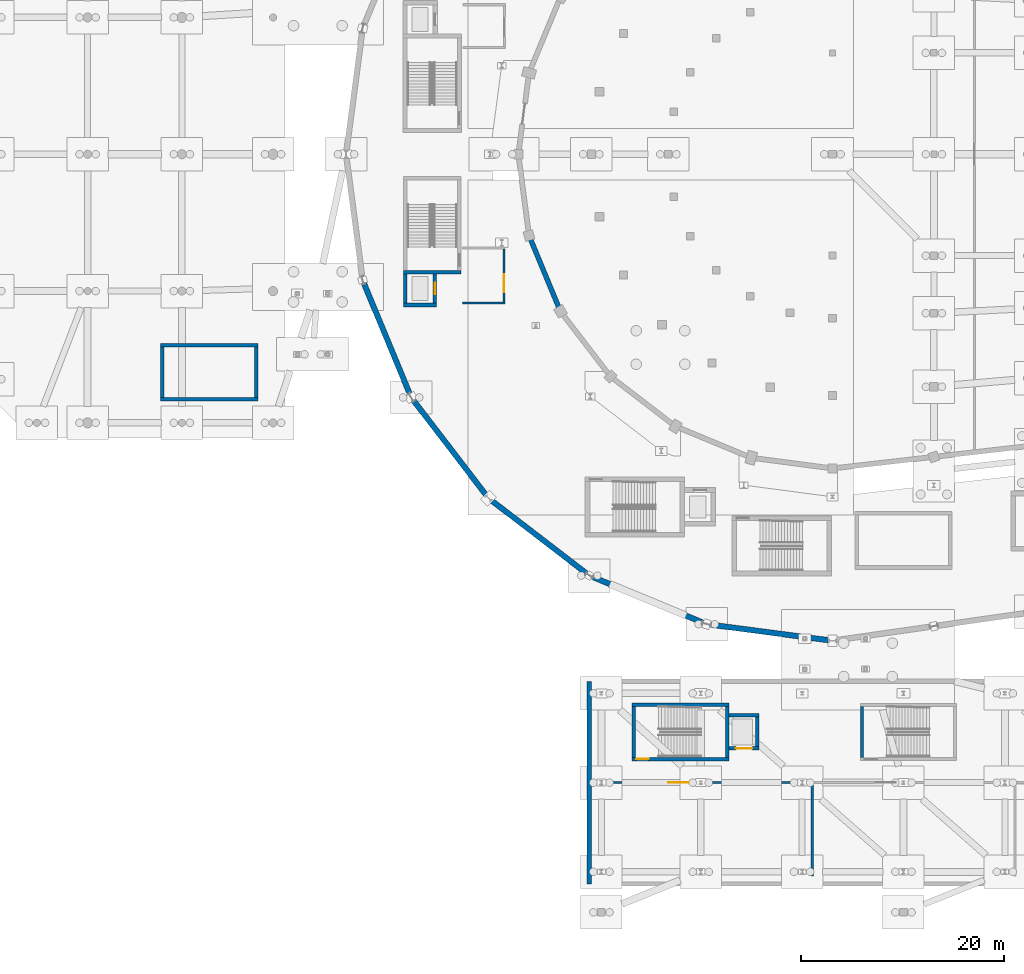
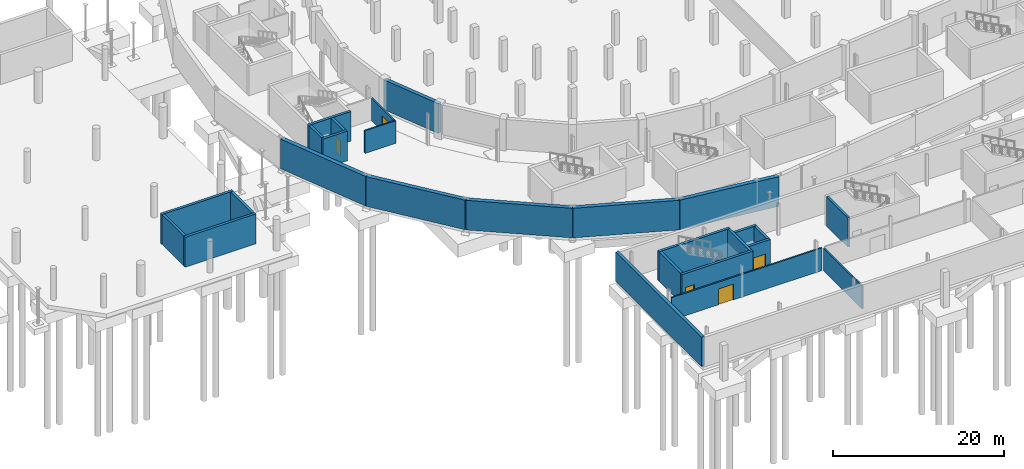
# One storey, part 42 of 55: 27 walls, 5 doors, 5 openings.
"""IFC4 building model written with IfcOpenShell, lengths in metres."""

from ifc_helpers import new_model, si_unit, direction, frame, frame_2d, origin, place, context, subcontext, project, spatial, rectangle, extrude, material, layer, layer_set, type_object, element, fill, save


model = new_model("IFC4")

# Units and contexts
model_context = context("Model", 3, precision=1e-05, world=origin(), true_north=direction((0.0, 1.0)))
body_context = subcontext(model_context, "Body", "Model", "MODEL_VIEW")
ifc_project = project(units=[si_unit("LENGTHUNIT", "METRE"), si_unit("AREAUNIT", "SQUARE_METRE"), si_unit("VOLUMEUNIT", "CUBIC_METRE"), si_unit("PLANEANGLEUNIT", "RADIAN"), si_unit("MASSUNIT", "GRAM", prefix="KILO")], contexts=[model_context])

# Site, building, storey
site_placement = place(None, origin())
site = spatial("IfcSite", under=ifc_project, at=site_placement, CompositionType="ELEMENT")
building_placement = place(site_placement, origin())
building = spatial("IfcBuilding", under=site, at=building_placement, Name="Sohan Crest Arena", CompositionType="ELEMENT")
storey_placement = place(building_placement, frame((0.0, 0.0, -4.5)))
storey = spatial("IfcBuildingStorey", under=building, at=storey_placement, Name="B1", CompositionType="ELEMENT", Elevation=-4.5)

# Wall
ifc_material_1 = material(Name="Fire-rated masonry blockwork compartment wall", Category="masonry")
ifc_layer_1 = layer(ifc_material_1, 0.199951171875, Name="Fire-rated masonry blockwork compartment wall")
ifc_layer_set_1 = layer_set([ifc_layer_1], Name="Fire-rated masonry blockwork compartment wall")
wall_type_1 = type_object("IfcWallType", Name="WAL-FW01", PredefinedType="PARTITIONING", material=ifc_layer_set_1)
wall_1_placement = place(storey_placement, frame((61.489990234375, 63.300048828125, 0.0), z_axis=(0.0, 0.0, 1.0), x_axis=(1.0, 0.0, 0.0)))
element("IfcWall", 1, at=wall_1_placement, inside=storey, type_object=wall_type_1, Name="Interior partition wall PW-0008", PredefinedType="PARTITIONING", context=body_context, shape_type="SweptSolid", body=[
    extrude(rectangle(XDim=4.179931640625, YDim=0.199951171875, at=frame_2d((2.08984375, 0.0))), origin(), (0.0, 0.0, 1.0), 3.219970703125),
])

# Wall, opening, door
wall_2_placement = place(storey_placement, frame((65.570068359375, 63.419921875, 0.0), z_axis=(0.0, 0.0, 1.0), x_axis=(0.0, 1.0, 0.0)))
wall_2 = element("IfcWall", 2, at=wall_2_placement, inside=storey, type_object=wall_type_1, Name="Interior partition wall PW-0010", PredefinedType="PARTITIONING", context=body_context, shape_type="SweptSolid", body=[
    extrude(rectangle(XDim=5.2099609375, YDim=0.199951171875, at=frame_2d((2.60498046875, 0.0))), origin(), (0.0, 0.0, 1.0), 3.219970703125),
])
opening_1_placement = place(wall_2_placement, frame((0.949951171875, 0.0, 0.0)))
opening_1 = element("IfcOpeningElement", 3, at=opening_1_placement, cuts=wall_2, Name="Opening FFL-0003", PredefinedType="OPENING", context=body_context, shape_type="SweptSolid", body=[
    extrude(rectangle(XDim=1.800048828125, YDim=2.199951171875, at=frame_2d((0.89990234375, 1.10009765625))), frame((0.0, 0.10986328125, 0.0), z_axis=(0.0, -1.0, 0.0), x_axis=(1.0, 0.0, 0.0)), (0.0, 0.0, 1.0), 0.219970703125),
])
ifc_material_2 = material(Name="Fire-rated timber-faced lobby double door", Category="wood")
door_type_1 = type_object("IfcDoorType", Name="DR-FD03", OperationType="DOUBLE_DOOR_SINGLE_SWING", PredefinedType="DOOR", material=ifc_material_2)
door_1_placement = place(opening_1_placement, origin())
door_1 = element("IfcDoor", 4, at=door_1_placement, inside=storey, type_object=door_type_1, Name="Firefighting lift lobby door FL01 FFL-0003", OperationType="DOUBLE_DOOR_SINGLE_SWING", OverallHeight=2.199951171875, OverallWidth=1.800048828125, PredefinedType="DOOR", context=body_context, shape_type="SweptSolid", body=[
    extrude(rectangle(XDim=1.800048828125, YDim=2.199951171875, at=frame_2d((0.89990234375, 1.10009765625))), frame((0.0, 0.02490234375, 0.0), z_axis=(0.0, -1.0, 0.0), x_axis=(1.0, 0.0, 0.0)), (0.0, 0.0, 1.0), 0.050048828125),
])
fill(opening_1, door_1)

# Wall
wall_3_placement = place(storey_placement, frame((96.0, 6.800048828125, 0.0), z_axis=(0.0, 0.0, 1.0), x_axis=(0.0, 1.0, 0.0)))
element("IfcWall", 5, at=wall_3_placement, inside=storey, type_object=wall_type_1, Name="Interior partition wall PW-0831", PredefinedType="PARTITIONING", context=body_context, shape_type="SweptSolid", body=[
    extrude(rectangle(XDim=9.0, YDim=0.199951171875, at=frame_2d((4.5, 0.0))), origin(), (0.0, 0.0, 1.0), 3.219970703125),
])

# Wall, opening, door
wall_4_placement = place(storey_placement, frame((75.5, 16.0, 0.0), z_axis=(0.0, 0.0, 1.0), x_axis=(1.0, 0.0, 0.0)))
wall_4 = element("IfcWall", 6, at=wall_4_placement, inside=storey, type_object=wall_type_1, Name="Interior partition wall PW-0832", PredefinedType="PARTITIONING", context=body_context, shape_type="SweptSolid", body=[
    extrude(rectangle(XDim=20.300048828125, YDim=0.199951171875, at=frame_2d((10.14990234375, 0.0))), origin(), (0.0, 0.0, 1.0), 3.219970703125),
])
opening_2_placement = place(wall_4_placement, frame((6.30810546875, 0.0, 0.0)))
opening_2 = element("IfcOpeningElement", 7, at=opening_2_placement, cuts=wall_4, Name="Opening B1D-0225", PredefinedType="OPENING", context=body_context, shape_type="SweptSolid", body=[
    extrude(rectangle(XDim=2.0, YDim=2.25, at=frame_2d((1.0, 1.125))), frame((0.0, 0.10986328125, 0.0), z_axis=(0.0, -1.0, 0.0), x_axis=(1.0, 0.0, 0.0)), (0.0, 0.0, 1.0), 0.219970703125),
])
ifc_material_3 = material(Name="Fire-rated steel concourse compartment door", Category="steel")
door_type_2 = type_object("IfcDoorType", Name="DR-FD02", OperationType="DOUBLE_DOOR_SINGLE_SWING", PredefinedType="DOOR", material=ifc_material_3)
door_2_placement = place(opening_2_placement, origin())
door_2 = element("IfcDoor", 8, at=door_2_placement, inside=storey, type_object=door_type_2, Name="Chiller plant door B1D-0225", OperationType="DOUBLE_DOOR_SINGLE_SWING", OverallHeight=2.25, OverallWidth=2.0, PredefinedType="DOOR", context=body_context, shape_type="SweptSolid", body=[
    extrude(rectangle(XDim=2.0, YDim=2.25, at=frame_2d((1.0, 1.125))), frame((0.0, 0.02490234375, 0.0), z_axis=(0.0, -1.0, 0.0), x_axis=(1.0, 0.0, 0.0)), (0.0, 0.0, 1.0), 0.050048828125),
])
fill(opening_2, door_2)

# Walls
ifc_material_4 = material(Name="Concrete C40/50", Category="concrete")
ifc_layer_2 = layer(ifc_material_4, 0.419921875, Name="Concrete C40/50")
ifc_layer_set_2 = layer_set([ifc_layer_2], Name="Concrete C40/50")
wall_type_2 = type_object("IfcWallType", Name="WAL-RW01", PredefinedType="USERDEFINED", material=ifc_layer_set_2)
wall_5_placement = place(storey_placement, frame((74.0, 26.0, 0.0), z_axis=(0.0, 0.0, 1.0), x_axis=(0.0, -1.0, 0.0)))
element("IfcWall", 9, at=wall_5_placement, inside=storey, type_object=wall_type_2, Name="External wall RW-038", ObjectType="RETAINING WALL", PredefinedType="USERDEFINED", context=body_context, shape_type="SweptSolid", body=[
    extrude(rectangle(XDim=20.0, YDim=0.419921875, at=frame_2d((10.0, 0.0))), origin(), (0.0, 0.0, 1.0), 4.199951171875),
])
ifc_layer_3 = layer(ifc_material_4, 0.47998046875, Name="Concrete C40/50")
ifc_layer_set_3 = layer_set([ifc_layer_3], Name="Concrete C40/50")
wall_type_3 = type_object("IfcWallType", Name="WAL-RW02", PredefinedType="USERDEFINED", material=ifc_layer_set_3)
wall_6_placement = place(storey_placement, frame((68.055908203125, 69.97705078125, 0.0), z_axis=(0.0, 0.0, 1.0), x_axis=(0.382691039498, -0.923876381497, 0.0)))
element("IfcWall", 10, at=wall_6_placement, inside=storey, type_object=wall_type_3, Name="External wall RW-008", ObjectType="RETAINING WALL", PredefinedType="USERDEFINED", context=body_context, shape_type="SweptSolid", body=[
    extrude(rectangle(XDim=8.093017578125, YDim=0.47998046875, at=frame_2d((4.04638671875, 0.0))), origin(), (0.0, 0.0, 1.0), 4.25),
])
ifc_layer_4 = layer(ifc_material_4, 0.5400390625, Name="Concrete C40/50")
ifc_layer_set_4 = layer_set([ifc_layer_4], Name="Concrete C40/50")
wall_type_4 = type_object("IfcWallType", Name="WAL-RW03", PredefinedType="USERDEFINED", material=ifc_layer_set_4)
for number, where, z_axis, x_axis, name in (
    (11, (51.635986328125, 65.576904296875, 0.0), (0.0, 0.0, 1.0), (0.382656941645, -0.923890504882, 0.0), "External wall RW-046"),
    (12, (56.430908203125, 54.0, 0.0), (0.0, 0.0, 1.0), (0.608773443368, -0.793344121205, 0.0), "External wall RW-047"),
    (13, (64.05908203125, 44.05908203125, 0.0), (0.0, 0.0, 1.0), (0.793344121205, -0.608773443368, 0.0), "External wall RW-048"),
    (14, (74.0, 36.430908203125, 0.0), (0.0, 0.0, 1.0), (0.923890504882, -0.382656941645, 0.0), "External wall RW-049"),
):
    element("IfcWall", number, at=place(storey_placement, frame(where, z_axis=z_axis, x_axis=x_axis)), inside=storey, type_object=wall_type_4, Name=name, ObjectType="RETAINING WALL", PredefinedType="USERDEFINED", context=body_context, shape_type="SweptSolid", body=[
        extrude(rectangle(XDim=12.530517578125, YDim=0.5400390625, at=frame_2d((6.26513671875, 0.0))), origin(), (0.0, 0.0, 1.0), 4.22509765625),
    ])
wall_7_placement = place(storey_placement, frame((85.576904296875, 31.635986328125, 0.0), z_axis=(0.0, 0.0, 1.0), x_axis=(0.991440164207, -0.130561865783, 0.0)))
element("IfcWall", 15, at=wall_7_placement, inside=storey, type_object=wall_type_4, Name="External wall RW-050", ObjectType="RETAINING WALL", PredefinedType="USERDEFINED", context=body_context, shape_type="SweptSolid", body=[
    extrude(rectangle(XDim=12.5302734375, YDim=0.5400390625, at=frame_2d((6.26513671875, 0.0))), origin(), (0.0, 0.0, 1.0), 4.22509765625),
])
ifc_layer_5 = layer(ifc_material_4, 0.300048828125, Name="Concrete C40/50")
ifc_layer_set_5 = layer_set([ifc_layer_5], Name="Concrete C40/50")
wall_type_5 = type_object("IfcWallType", Name="WAL-SW01", PredefinedType="SHEAR", material=ifc_layer_set_5)
wall_8_placement = place(storey_placement, frame((100.89990234375, 18.5, 0.0), z_axis=(0.0, 0.0, 1.0), x_axis=(0.0, 1.0, 0.0)))
element("IfcWall", 16, at=wall_8_placement, inside=storey, type_object=wall_type_5, Name="Core shear wall SW-0507", PredefinedType="SHEAR", context=body_context, shape_type="SweptSolid", body=[
    extrude(rectangle(XDim=5.0, YDim=0.300048828125, at=frame_2d((2.5, 0.0))), origin(), (0.0, 0.0, 1.0), 4.199951171875),
])
ifc_layer_6 = layer(ifc_material_4, 0.35009765625, Name="Concrete C40/50")
ifc_layer_set_6 = layer_set([ifc_layer_6], Name="Concrete C40/50")
wall_type_6 = type_object("IfcWallType", Name="WAL-SW02", PredefinedType="SHEAR", material=ifc_layer_set_6)
wall_9_placement = place(storey_placement, frame((55.64990234375, 66.375, 0.0), z_axis=(0.0, 0.0, 1.0), x_axis=(1.0, 0.0, 0.0)))
element("IfcWall", 17, at=wall_9_placement, inside=storey, type_object=wall_type_6, Name="Core shear wall SW-0001", PredefinedType="SHEAR", context=body_context, shape_type="SweptSolid", body=[
    extrude(rectangle(XDim=5.7001953125, YDim=0.35009765625, at=frame_2d((2.85009765625, 0.0))), origin(), (0.0, 0.0, 1.0), 4.22509765625),
])
wall_10_placement = place(storey_placement, frame((55.824951171875, 63.300048828125, 0.0), z_axis=(0.0, 0.0, 1.0), x_axis=(0.0, 1.0, 0.0)))
element("IfcWall", 18, at=wall_10_placement, inside=storey, type_object=wall_type_6, Name="Core shear wall SW-0005", PredefinedType="SHEAR", context=body_context, shape_type="SweptSolid", body=[
    extrude(rectangle(XDim=2.89990234375, YDim=0.35009765625, at=frame_2d((1.449951171875, 0.0))), origin(), (0.0, 0.0, 1.0), 4.22509765625),
])

# Wall, opening, door
wall_11_placement = place(storey_placement, frame((58.77490234375, 63.300048828125, 0.0), z_axis=(0.0, 0.0, 1.0), x_axis=(0.0, 1.0, 0.0)))
wall_11 = element("IfcWall", 19, at=wall_11_placement, inside=storey, type_object=wall_type_6, Name="Core shear wall SW-0006", PredefinedType="SHEAR", context=body_context, shape_type="SweptSolid", body=[
    extrude(rectangle(XDim=2.89990234375, YDim=0.35009765625, at=frame_2d((1.449951171875, 0.0))), origin(), (0.0, 0.0, 1.0), 4.22509765625),
])
opening_3_placement = place(wall_11_placement, frame((0.89990234375, 0.0, 0.0)))
opening_3 = element("IfcOpeningElement", 20, at=opening_3_placement, cuts=wall_11, Name="Opening LD-FL01-B1", PredefinedType="OPENING", context=body_context, shape_type="SweptSolid", body=[
    extrude(rectangle(XDim=1.10009765625, YDim=2.199951171875, at=frame_2d((0.550048828125, 1.10009765625))), frame((0.0, 0.18505859375, 0.0), z_axis=(0.0, -1.0, 0.0), x_axis=(1.0, 0.0, 0.0)), (0.0, 0.0, 1.0), 0.3701171875),
])
ifc_material_5 = material(Name="Stainless steel firefighting lift landing door", Category="steel")
door_type_3 = type_object("IfcDoorType", Name="DR-LD01", OperationType="SLIDING_TO_LEFT", PredefinedType="DOOR", material=ifc_material_5)
door_3_placement = place(opening_3_placement, origin())
door_3 = element("IfcDoor", 21, at=door_3_placement, inside=storey, type_object=door_type_3, Name="Sliding lift landing door LD-FL01-B1", OperationType="SLIDING_TO_LEFT", OverallHeight=2.199951171875, OverallWidth=1.10009765625, PredefinedType="DOOR", context=body_context, shape_type="SweptSolid", body=[
    extrude(rectangle(XDim=1.10009765625, YDim=2.199951171875, at=frame_2d((0.550048828125, 1.10009765625))), frame((0.0, 0.02490234375, 0.0), z_axis=(0.0, -1.0, 0.0), x_axis=(1.0, 0.0, 0.0)), (0.0, 0.0, 1.0), 0.050048828125),
])
fill(opening_3, door_3)

# Walls
wall_12_placement = place(storey_placement, frame((55.64990234375, 63.125, 0.0), z_axis=(0.0, 0.0, 1.0), x_axis=(1.0, 0.0, 0.0)))
element("IfcWall", 22, at=wall_12_placement, inside=storey, type_object=wall_type_6, Name="Core shear wall SW-0007", PredefinedType="SHEAR", context=body_context, shape_type="SweptSolid", body=[
    extrude(rectangle(XDim=3.300048828125, YDim=0.35009765625, at=frame_2d((1.64990234375, 0.0))), origin(), (0.0, 0.0, 1.0), 4.22509765625),
])
for number, where, z_axis, x_axis, name in (
    (23, (31.699951171875, 53.824951171875, 0.0), (0.0, 0.0, 1.0), (1.0, 0.0, 0.0), "Core shear wall SW-0527"),
    (24, (31.699951171875, 59.175048828125, 0.0), (0.0, 0.0, 1.0), (1.0, 0.0, 0.0), "Core shear wall SW-0528"),
):
    element("IfcWall", number, at=place(storey_placement, frame(where, z_axis=z_axis, x_axis=x_axis)), inside=storey, type_object=wall_type_6, Name=name, PredefinedType="SHEAR", context=body_context, shape_type="SweptSolid", body=[
        extrude(rectangle(XDim=9.60009765625, YDim=0.35009765625, at=frame_2d((4.800048828125, 0.0))), origin(), (0.0, 0.0, 1.0), 4.27001953125),
    ])
for number, where, z_axis, x_axis, name in (
    (25, (31.875, 54.0, 0.0), (0.0, 0.0, 1.0), (0.0, 1.0, 0.0), "Core shear wall SW-0529"),
    (26, (41.125, 54.0, 0.0), (0.0, 0.0, 1.0), (0.0, 1.0, 0.0), "Core shear wall SW-0530"),
):
    element("IfcWall", number, at=place(storey_placement, frame(where, z_axis=z_axis, x_axis=x_axis)), inside=storey, type_object=wall_type_6, Name=name, PredefinedType="SHEAR", context=body_context, shape_type="SweptSolid", body=[
        extrude(rectangle(XDim=5.0, YDim=0.35009765625, at=frame_2d((2.5, 0.0))), origin(), (0.0, 0.0, 1.0), 4.27001953125),
    ])
for number, where, z_axis, x_axis, name in (
    (27, (78.375, 18.5, 0.0), (0.0, 0.0, 1.0), (0.0, 1.0, 0.0), "Core shear wall SW-0649"),
    (28, (87.625, 18.5, 0.0), (0.0, 0.0, 1.0), (0.0, 1.0, 0.0), "Core shear wall SW-0650"),
):
    element("IfcWall", number, at=place(storey_placement, frame(where, z_axis=z_axis, x_axis=x_axis)), inside=storey, type_object=wall_type_6, Name=name, PredefinedType="SHEAR", context=body_context, shape_type="SweptSolid", body=[
        extrude(rectangle(XDim=5.0, YDim=0.35009765625, at=frame_2d((2.5, 0.0))), origin(), (0.0, 0.0, 1.0), 4.199951171875),
    ])

# Wall, opening, door
wall_13_placement = place(storey_placement, frame((78.199951171875, 18.324951171875, 0.0), z_axis=(0.0, 0.0, 1.0), x_axis=(1.0, 0.0, 0.0)))
wall_13 = element("IfcWall", 29, at=wall_13_placement, inside=storey, type_object=wall_type_6, Name="Core shear wall SW-0651", PredefinedType="SHEAR", context=body_context, shape_type="SweptSolid", body=[
    extrude(rectangle(XDim=9.60009765625, YDim=0.35009765625, at=frame_2d((4.800048828125, 0.0))), origin(), (0.0, 0.0, 1.0), 4.199951171875),
])
opening_4_placement = place(wall_13_placement, frame((0.449951171875, 0.0, 0.0)))
opening_4 = element("IfcOpeningElement", 30, at=opening_4_placement, cuts=wall_13, Name="Opening SD-0175", PredefinedType="OPENING", context=body_context, shape_type="SweptSolid", body=[
    extrude(rectangle(XDim=1.199951171875, YDim=2.199951171875, at=frame_2d((0.60009765625, 1.10009765625))), frame((0.0, 0.18505859375, 0.0), z_axis=(0.0, -1.0, 0.0), x_axis=(1.0, 0.0, 0.0)), (0.0, 0.0, 1.0), 0.3701171875),
])
ifc_material_6 = material(Name="Fire-rated steel stair and lobby door", Category="steel")
door_type_4 = type_object("IfcDoorType", Name="DR-FD04", OperationType="NOTDEFINED", PredefinedType="DOOR", material=ifc_material_6)
door_4_placement = place(opening_4_placement, frame((1.199951171875, 0.0, 0.0), z_axis=(0.0, 0.0, 1.0), x_axis=(-1.0, 0.0, 0.0)))
door_4 = element("IfcDoor", 31, at=door_4_placement, inside=storey, type_object=door_type_4, Name="Protected stair door SD-0175", OperationType="SINGLE_SWING_LEFT", OverallHeight=2.199951171875, OverallWidth=1.199951171875, PredefinedType="DOOR", context=body_context, shape_type="SweptSolid", body=[
    extrude(rectangle(XDim=1.199951171875, YDim=2.199951171875, at=frame_2d((0.60009765625, 1.10009765625))), frame((0.0, 0.02490234375, 0.0), z_axis=(0.0, -1.0, 0.0), x_axis=(1.0, 0.0, 0.0)), (0.0, 0.0, 1.0), 0.050048828125),
])
fill(opening_4, door_4)

# Walls
wall_14_placement = place(storey_placement, frame((78.199951171875, 23.675048828125, 0.0), z_axis=(0.0, 0.0, 1.0), x_axis=(1.0, 0.0, 0.0)))
element("IfcWall", 32, at=wall_14_placement, inside=storey, type_object=wall_type_6, Name="Core shear wall SW-0652", PredefinedType="SHEAR", context=body_context, shape_type="SweptSolid", body=[
    extrude(rectangle(XDim=9.60009765625, YDim=0.35009765625, at=frame_2d((4.800048828125, 0.0))), origin(), (0.0, 0.0, 1.0), 4.199951171875),
])
wall_15_placement = place(storey_placement, frame((90.574951171875, 19.550048828125, 0.0), z_axis=(0.0, 0.0, 1.0), x_axis=(0.0, 1.0, 0.0)))
element("IfcWall", 33, at=wall_15_placement, inside=storey, type_object=wall_type_6, Name="Core shear wall SW-0653", PredefinedType="SHEAR", context=body_context, shape_type="SweptSolid", body=[
    extrude(rectangle(XDim=2.89990234375, YDim=0.35009765625, at=frame_2d((1.449951171875, 0.0))), origin(), (0.0, 0.0, 1.0), 4.199951171875),
])

# Wall, opening, door
wall_16_placement = place(storey_placement, frame((87.800048828125, 19.375, 0.0), z_axis=(0.0, 0.0, 1.0), x_axis=(1.0, 0.0, 0.0)))
wall_16 = element("IfcWall", 34, at=wall_16_placement, inside=storey, type_object=wall_type_6, Name="Core shear wall SW-0654", PredefinedType="SHEAR", context=body_context, shape_type="SweptSolid", body=[
    extrude(rectangle(XDim=2.949951171875, YDim=0.35009765625, at=frame_2d((1.47509765625, 0.0))), origin(), (0.0, 0.0, 1.0), 4.199951171875),
])
opening_5_placement = place(wall_16_placement, frame((0.675048828125, 0.0, 0.0)))
opening_5 = element("IfcOpeningElement", 35, at=opening_5_placement, cuts=wall_16, Name="Opening LD-GF01-B1", PredefinedType="OPENING", context=body_context, shape_type="SweptSolid", body=[
    extrude(rectangle(XDim=1.60009765625, YDim=2.35009765625, at=frame_2d((0.800048828125, 1.175048828125))), frame((0.0, 0.18505859375, 0.0), z_axis=(0.0, -1.0, 0.0), x_axis=(1.0, 0.0, 0.0)), (0.0, 0.0, 1.0), 0.3701171875),
])
ifc_material_7 = material(Name="Stainless steel goods lift landing door", Category="steel")
door_type_5 = type_object("IfcDoorType", Name="DR-LD03", OperationType="SLIDING_TO_LEFT", PredefinedType="DOOR", material=ifc_material_7)
door_5_placement = place(opening_5_placement, origin())
door_5 = element("IfcDoor", 36, at=door_5_placement, inside=storey, type_object=door_type_5, Name="Sliding lift landing door LD-GF01-B1", OperationType="SLIDING_TO_LEFT", OverallHeight=2.35009765625, OverallWidth=1.60009765625, PredefinedType="DOOR", context=body_context, shape_type="SweptSolid", body=[
    extrude(rectangle(XDim=1.60009765625, YDim=2.35009765625, at=frame_2d((0.800048828125, 1.175048828125))), frame((0.0, 0.02490234375, 0.0), z_axis=(0.0, -1.0, 0.0), x_axis=(1.0, 0.0, 0.0)), (0.0, 0.0, 1.0), 0.050048828125),
])
fill(opening_5, door_5)

# Wall
wall_17_placement = place(storey_placement, frame((87.800048828125, 22.625, 0.0), z_axis=(0.0, 0.0, 1.0), x_axis=(1.0, 0.0, 0.0)))
element("IfcWall", 37, at=wall_17_placement, inside=storey, type_object=wall_type_6, Name="Core shear wall SW-0655", PredefinedType="SHEAR", context=body_context, shape_type="SweptSolid", body=[
    extrude(rectangle(XDim=2.949951171875, YDim=0.35009765625, at=frame_2d((1.47509765625, 0.0))), origin(), (0.0, 0.0, 1.0), 4.199951171875),
])

save(model, "model.ifc")
